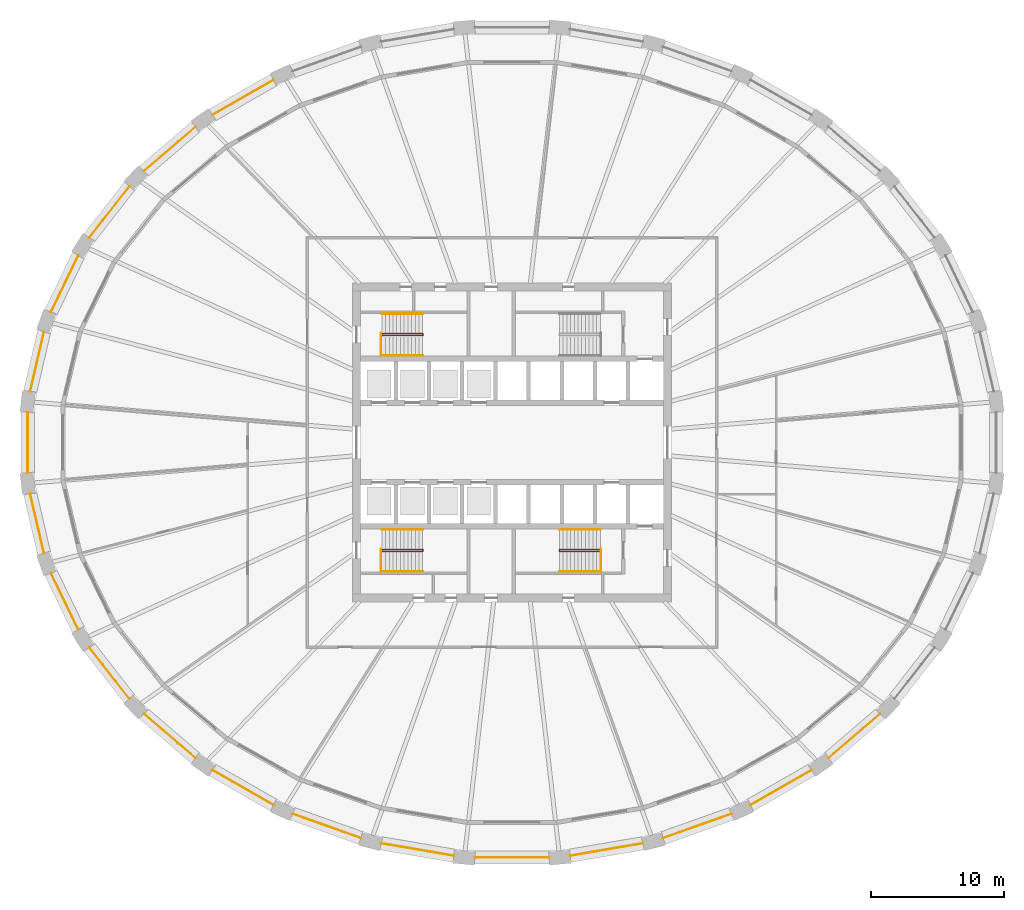
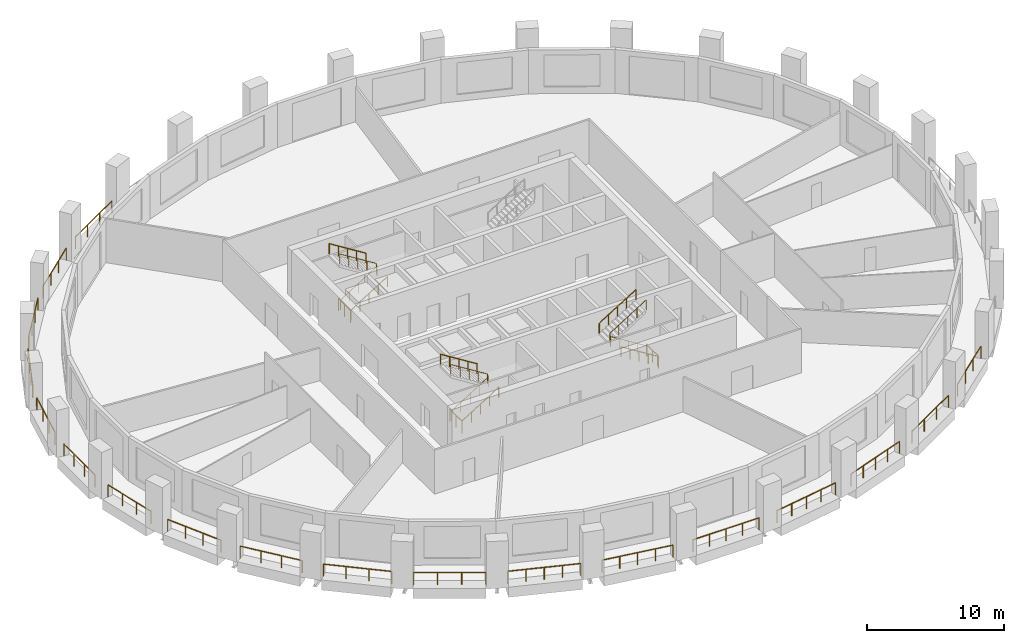
# One storey, part 9 of 11: 30 railings.
"""IFC4 building model written with IfcOpenShell, lengths in metres."""

from ifc_helpers import new_model, si_unit, direction, frame, origin, origin_2d, place, context, subcontext, project, spatial, circle, extrude, material, type_object, element, save


model = new_model("IFC4")

# Units and contexts
model_context = context("Model", 3, precision=1e-05, world=origin(), true_north=direction((0.0, 1.0)))
body_context = subcontext(model_context, "Body", "Model", "MODEL_VIEW")
ifc_project = project(units=[si_unit("LENGTHUNIT", "METRE"), si_unit("AREAUNIT", "SQUARE_METRE"), si_unit("VOLUMEUNIT", "CUBIC_METRE"), si_unit("PLANEANGLEUNIT", "RADIAN"), si_unit("MASSUNIT", "GRAM", prefix="KILO")], contexts=[model_context])

# Site, building, storey
site_placement = place(None, origin())
site = spatial("IfcSite", under=ifc_project, at=site_placement, CompositionType="ELEMENT")
building_placement = place(site_placement, origin())
building = spatial("IfcBuilding", under=site, at=building_placement, Name="Halqa Exchange Tower", CompositionType="ELEMENT")
storey_placement = place(building_placement, frame((0.0, 0.0, 73.89990234375)))
storey = spatial("IfcBuildingStorey", under=building, at=storey_placement, Name="L16", CompositionType="ELEMENT", Elevation=73.89990234375)

# Railings
ifc_material = material(Name="Stainless steel", Category="steel")
railing_type_1 = type_object("IfcRailingType", Name="Guard 1100 stainless steel", PredefinedType="GUARDRAIL", material=ifc_material)
railing_1_placement = place(storey_placement, frame((-17.962158203125, 27.29345703125, 0.0)))
element("IfcRailing", 1, at=railing_1_placement, inside=storey, type_object=railing_type_1, Name="Loggia guard 11", PredefinedType="GUARDRAIL", context=body_context, shape_type="SweptSolid", body=[
    extrude(circle(Radius=0.02392578125, at=origin_2d()), frame((0.0, 0.0, 1.076171875), z_axis=(-0.867759080411, -0.496985088674, 0.0), x_axis=(0.496985088674, -0.867759080411, 0.0)), (0.0, 0.0, 1.0), 5.28076171875),
    extrude(circle(Radius=0.02099609375, at=origin_2d()), origin(), (0.0, 0.0, 1.0), 1.052001953125),
    extrude(circle(Radius=0.02099609375, at=origin_2d()), frame((-1.527587890625, -0.874755859375, 0.0)), (0.0, 0.0, 1.0), 1.052001953125),
    extrude(circle(Radius=0.02099609375, at=origin_2d()), frame((-3.054931640625, -1.749755859375, 0.0)), (0.0, 0.0, 1.0), 1.052001953125),
    extrude(circle(Radius=0.02099609375, at=origin_2d()), frame((-4.58251953125, -2.62451171875, 0.0)), (0.0, 0.0, 1.0), 1.052001953125),
])
railing_2_placement = place(storey_placement, frame((-23.84619140625, 23.750732421875, 0.0)))
element("IfcRailing", 2, at=railing_2_placement, inside=storey, type_object=railing_type_1, Name="Loggia guard 12", PredefinedType="GUARDRAIL", context=body_context, shape_type="SweptSolid", body=[
    extrude(circle(Radius=0.02392578125, at=origin_2d()), frame((0.0, 0.0, 1.076171875), z_axis=(-0.759270150969, -0.650775566419, 0.0), x_axis=(0.650775566419, -0.759270150969, 0.0)), (0.0, 0.0, 1.0), 5.087890625),
    extrude(circle(Radius=0.02099609375, at=origin_2d()), origin(), (0.0, 0.0, 1.0), 1.052001953125),
    extrude(circle(Radius=0.02099609375, at=origin_2d()), frame((-1.28759765625, -1.103759765625, 0.0)), (0.0, 0.0, 1.0), 1.052001953125),
    extrude(circle(Radius=0.02099609375, at=origin_2d()), frame((-2.575439453125, -2.207275390625, 0.0)), (0.0, 0.0, 1.0), 1.052001953125),
    extrude(circle(Radius=0.02099609375, at=origin_2d()), frame((-3.863037109375, -3.31103515625, 0.0)), (0.0, 0.0, 1.0), 1.052001953125),
])
railing_3_placement = place(storey_placement, frame((-28.80859375, 19.2880859375, 0.0)))
element("IfcRailing", 3, at=railing_3_placement, inside=storey, type_object=railing_type_1, Name="Loggia guard 13", PredefinedType="GUARDRAIL", context=body_context, shape_type="SweptSolid", body=[
    extrude(circle(Radius=0.02392578125, at=origin_2d()), frame((0.0, 0.0, 1.076171875), z_axis=(-0.614773449853, -0.788703750059, 0.0), x_axis=(0.788703750059, -0.614773449853, 0.0)), (0.0, 0.0, 1.0), 4.888916015625),
    extrude(circle(Radius=0.02099609375, at=origin_2d()), origin(), (0.0, 0.0, 1.0), 1.052001953125),
    extrude(circle(Radius=0.02099609375, at=origin_2d()), frame((-1.001953125, -1.285400390625, 0.0)), (0.0, 0.0, 1.0), 1.052001953125),
    extrude(circle(Radius=0.02099609375, at=origin_2d()), frame((-2.003662109375, -2.570556640625, 0.0)), (0.0, 0.0, 1.0), 1.052001953125),
    extrude(circle(Radius=0.02099609375, at=origin_2d()), frame((-3.005615234375, -3.85595703125, 0.0)), (0.0, 0.0, 1.0), 1.052001953125),
])
railing_4_placement = place(storey_placement, frame((-32.654296875, 14.080810546875, 0.0)))
element("IfcRailing", 4, at=railing_4_placement, inside=storey, type_object=railing_type_1, Name="Loggia guard 14", PredefinedType="GUARDRAIL", context=body_context, shape_type="SweptSolid", body=[
    extrude(circle(Radius=0.02392578125, at=origin_2d()), frame((0.0, 0.0, 1.076171875), z_axis=(-0.435121098841, -0.900371939447, 0.0), x_axis=(0.900371939447, -0.435121098841, 0.0)), (0.0, 0.0, 1.0), 4.7158203125),
    extrude(circle(Radius=0.02099609375, at=origin_2d()), origin(), (0.0, 0.0, 1.0), 1.052001953125),
    extrude(circle(Radius=0.02099609375, at=origin_2d()), frame((-0.68408203125, -1.415283203125, 0.0)), (0.0, 0.0, 1.0), 1.052001953125),
    extrude(circle(Radius=0.02099609375, at=origin_2d()), frame((-1.367919921875, -2.830810546875, 0.0)), (0.0, 0.0, 1.0), 1.052001953125),
    extrude(circle(Radius=0.02099609375, at=origin_2d()), frame((-2.052001953125, -4.24609375, 0.0)), (0.0, 0.0, 1.0), 1.052001953125),
])
railing_5_placement = place(storey_placement, frame((-35.235107421875, 8.335205078125, 0.0)))
element("IfcRailing", 5, at=railing_5_placement, inside=storey, type_object=railing_type_1, Name="Loggia guard 15", PredefinedType="GUARDRAIL", context=body_context, shape_type="SweptSolid", body=[
    extrude(circle(Radius=0.02392578125, at=origin_2d()), frame((0.0, 0.0, 1.076171875), z_axis=(-0.226069418953, -0.974111193763, 0.0), x_axis=(0.974111193763, -0.226069418953, 0.0)), (0.0, 0.0, 1.0), 4.59716796875),
    extrude(circle(Radius=0.02099609375, at=origin_2d()), origin(), (0.0, 0.0, 1.0), 1.052001953125),
    extrude(circle(Radius=0.02099609375, at=origin_2d()), frame((-0.346435546875, -1.49267578125, 0.0)), (0.0, 0.0, 1.0), 1.052001953125),
    extrude(circle(Radius=0.02099609375, at=origin_2d()), frame((-0.69287109375, -2.985595703125, 0.0)), (0.0, 0.0, 1.0), 1.052001953125),
    extrude(circle(Radius=0.02099609375, at=origin_2d()), frame((-1.039306640625, -4.478271484375, 0.0)), (0.0, 0.0, 1.0), 1.052001953125),
])
railing_6_placement = place(storey_placement, frame((-36.455078125, 2.277587890625, 0.0)))
element("IfcRailing", 6, at=railing_6_placement, inside=storey, type_object=railing_type_1, Name="Loggia guard 16", PredefinedType="GUARDRAIL", context=body_context, shape_type="SweptSolid", body=[
    extrude(circle(Radius=0.02392578125, at=origin_2d()), frame((0.0, 0.0, 1.076171875), z_axis=(0.0, -1.0, 0.0), x_axis=(1.0, 0.0, 0.0)), (0.0, 0.0, 1.0), 4.55517578125),
    extrude(circle(Radius=0.02099609375, at=origin_2d()), origin(), (0.0, 0.0, 1.0), 1.052001953125),
    extrude(circle(Radius=0.02099609375, at=origin_2d()), frame((0.0, -1.518310546875, 0.0)), (0.0, 0.0, 1.0), 1.052001953125),
    extrude(circle(Radius=0.02099609375, at=origin_2d()), frame((0.0, -3.036865234375, 0.0)), (0.0, 0.0, 1.0), 1.052001953125),
    extrude(circle(Radius=0.02099609375, at=origin_2d()), frame((0.0, -4.55517578125, 0.0)), (0.0, 0.0, 1.0), 1.052001953125),
])
railing_7_placement = place(storey_placement, frame((-36.2744140625, -3.85693359375, 0.0)))
element("IfcRailing", 7, at=railing_7_placement, inside=storey, type_object=railing_type_1, Name="Loggia guard 17", PredefinedType="GUARDRAIL", context=body_context, shape_type="SweptSolid", body=[
    extrude(circle(Radius=0.02392578125, at=origin_2d()), frame((0.0, 0.0, 1.076171875), z_axis=(0.226069418953, -0.974111193763, 0.0), x_axis=(0.974111193763, 0.226069418953, 0.0)), (0.0, 0.0, 1.0), 4.59716796875),
    extrude(circle(Radius=0.02099609375, at=origin_2d()), origin(), (0.0, 0.0, 1.0), 1.052001953125),
    extrude(circle(Radius=0.02099609375, at=origin_2d()), frame((0.346435546875, -1.49267578125, 0.0)), (0.0, 0.0, 1.0), 1.052001953125),
    extrude(circle(Radius=0.02099609375, at=origin_2d()), frame((0.69287109375, -2.985595703125, 0.0)), (0.0, 0.0, 1.0), 1.052001953125),
    extrude(circle(Radius=0.02099609375, at=origin_2d()), frame((1.039306640625, -4.478271484375, 0.0)), (0.0, 0.0, 1.0), 1.052001953125),
])
railing_8_placement = place(storey_placement, frame((-34.706298828125, -9.834716796875, 0.0)))
element("IfcRailing", 8, at=railing_8_placement, inside=storey, type_object=railing_type_1, Name="Loggia guard 18", PredefinedType="GUARDRAIL", context=body_context, shape_type="SweptSolid", body=[
    extrude(circle(Radius=0.02392578125, at=origin_2d()), frame((0.0, 0.0, 1.076171875), z_axis=(0.435121098841, -0.900371939447, 0.0), x_axis=(0.900371939447, 0.435121098841, 0.0)), (0.0, 0.0, 1.0), 4.7158203125),
    extrude(circle(Radius=0.02099609375, at=origin_2d()), origin(), (0.0, 0.0, 1.0), 1.052001953125),
    extrude(circle(Radius=0.02099609375, at=origin_2d()), frame((0.68408203125, -1.415283203125, 0.0)), (0.0, 0.0, 1.0), 1.052001953125),
    extrude(circle(Radius=0.02099609375, at=origin_2d()), frame((1.367919921875, -2.830810546875, 0.0)), (0.0, 0.0, 1.0), 1.052001953125),
    extrude(circle(Radius=0.02099609375, at=origin_2d()), frame((2.052001953125, -4.24609375, 0.0)), (0.0, 0.0, 1.0), 1.052001953125),
])
railing_9_placement = place(storey_placement, frame((-31.814208984375, -15.43212890625, 0.0)))
element("IfcRailing", 9, at=railing_9_placement, inside=storey, type_object=railing_type_1, Name="Loggia guard 19", PredefinedType="GUARDRAIL", context=body_context, shape_type="SweptSolid", body=[
    extrude(circle(Radius=0.02392578125, at=origin_2d()), frame((0.0, 0.0, 1.076171875), z_axis=(0.614773449853, -0.788703750059, 0.0), x_axis=(0.788703750059, 0.614773449853, 0.0)), (0.0, 0.0, 1.0), 4.888916015625),
    extrude(circle(Radius=0.02099609375, at=origin_2d()), origin(), (0.0, 0.0, 1.0), 1.052001953125),
    extrude(circle(Radius=0.02099609375, at=origin_2d()), frame((1.001953125, -1.285400390625, 0.0)), (0.0, 0.0, 1.0), 1.052001953125),
    extrude(circle(Radius=0.02099609375, at=origin_2d()), frame((2.003662109375, -2.570556640625, 0.0)), (0.0, 0.0, 1.0), 1.052001953125),
    extrude(circle(Radius=0.02099609375, at=origin_2d()), frame((3.005615234375, -3.85595703125, 0.0)), (0.0, 0.0, 1.0), 1.052001953125),
])
railing_10_placement = place(storey_placement, frame((-27.709228515625, -20.439697265625, 0.0)))
element("IfcRailing", 10, at=railing_10_placement, inside=storey, type_object=railing_type_1, Name="Loggia guard 20", PredefinedType="GUARDRAIL", context=body_context, shape_type="SweptSolid", body=[
    extrude(circle(Radius=0.02392578125, at=origin_2d()), frame((0.0, 0.0, 1.076171875), z_axis=(0.759270150969, -0.650775566419, 0.0), x_axis=(0.650775566419, 0.759270150969, 0.0)), (0.0, 0.0, 1.0), 5.087890625),
    extrude(circle(Radius=0.02099609375, at=origin_2d()), origin(), (0.0, 0.0, 1.0), 1.052001953125),
    extrude(circle(Radius=0.02099609375, at=origin_2d()), frame((1.28759765625, -1.103759765625, 0.0)), (0.0, 0.0, 1.0), 1.052001953125),
    extrude(circle(Radius=0.02099609375, at=origin_2d()), frame((2.575439453125, -2.207275390625, 0.0)), (0.0, 0.0, 1.0), 1.052001953125),
    extrude(circle(Radius=0.02099609375, at=origin_2d()), frame((3.863037109375, -3.31103515625, 0.0)), (0.0, 0.0, 1.0), 1.052001953125),
])
railing_11_placement = place(storey_placement, frame((-22.544677734375, -24.6689453125, 0.0)))
element("IfcRailing", 11, at=railing_11_placement, inside=storey, type_object=railing_type_1, Name="Loggia guard 21", PredefinedType="GUARDRAIL", context=body_context, shape_type="SweptSolid", body=[
    extrude(circle(Radius=0.02392578125, at=origin_2d()), frame((0.0, 0.0, 1.076171875), z_axis=(0.867759080411, -0.496985088674, 0.0), x_axis=(0.496985088674, 0.867759080411, 0.0)), (0.0, 0.0, 1.0), 5.28076171875),
    extrude(circle(Radius=0.02099609375, at=origin_2d()), origin(), (0.0, 0.0, 1.0), 1.052001953125),
    extrude(circle(Radius=0.02099609375, at=origin_2d()), frame((1.527587890625, -0.874755859375, 0.0)), (0.0, 0.0, 1.0), 1.052001953125),
    extrude(circle(Radius=0.02099609375, at=origin_2d()), frame((3.054931640625, -1.749755859375, 0.0)), (0.0, 0.0, 1.0), 1.052001953125),
    extrude(circle(Radius=0.02099609375, at=origin_2d()), frame((4.58251953125, -2.62451171875, 0.0)), (0.0, 0.0, 1.0), 1.052001953125),
])
railing_12_placement = place(storey_placement, frame((-16.51416015625, -27.958740234375, 0.0)))
element("IfcRailing", 12, at=railing_12_placement, inside=storey, type_object=railing_type_1, Name="Loggia guard 22", PredefinedType="GUARDRAIL", context=body_context, shape_type="SweptSolid", body=[
    extrude(circle(Radius=0.02392578125, at=origin_2d()), frame((0.0, 0.0, 1.076171875), z_axis=(0.94237481019, -0.334558988998, 0.0), x_axis=(0.334558988998, 0.94237481019, 0.0)), (0.0, 0.0, 1.0), 5.440185546875),
    extrude(circle(Radius=0.02099609375, at=origin_2d()), origin(), (0.0, 0.0, 1.0), 1.052001953125),
    extrude(circle(Radius=0.02099609375, at=origin_2d()), frame((1.28173828125, -0.455078125, 0.0)), (0.0, 0.0, 1.0), 1.052001953125),
    extrude(circle(Radius=0.02099609375, at=origin_2d()), frame((2.5634765625, -0.91015625, 0.0)), (0.0, 0.0, 1.0), 1.052001953125),
    extrude(circle(Radius=0.02099609375, at=origin_2d()), frame((3.844970703125, -1.364990234375, 0.0)), (0.0, 0.0, 1.0), 1.052001953125),
    extrude(circle(Radius=0.02099609375, at=origin_2d()), frame((5.126708984375, -1.820068359375, 0.0)), (0.0, 0.0, 1.0), 1.052001953125),
])
railing_13_placement = place(storey_placement, frame((-9.844970703125, -30.180908203125, 0.0)))
element("IfcRailing", 13, at=railing_13_placement, inside=storey, type_object=railing_type_1, Name="Loggia guard 23", PredefinedType="GUARDRAIL", context=body_context, shape_type="SweptSolid", body=[
    extrude(circle(Radius=0.02392578125, at=origin_2d()), frame((0.0, 0.0, 1.076171875), z_axis=(0.985775416456, -0.168067927667, 0.0), x_axis=(0.168067927667, 0.985775416456, 0.0)), (0.0, 0.0, 1.0), 5.544677734375),
    extrude(circle(Radius=0.02099609375, at=origin_2d()), origin(), (0.0, 0.0, 1.0), 1.052001953125),
    extrude(circle(Radius=0.02099609375, at=origin_2d()), frame((1.366455078125, -0.23291015625, 0.0)), (0.0, 0.0, 1.0), 1.052001953125),
    extrude(circle(Radius=0.02099609375, at=origin_2d()), frame((2.73291015625, -0.4658203125, 0.0)), (0.0, 0.0, 1.0), 1.052001953125),
    extrude(circle(Radius=0.02099609375, at=origin_2d()), frame((4.099365234375, -0.698974609375, 0.0)), (0.0, 0.0, 1.0), 1.052001953125),
    extrude(circle(Radius=0.02099609375, at=origin_2d()), frame((5.4658203125, -0.931884765625, 0.0)), (0.0, 0.0, 1.0), 1.052001953125),
])
railing_14_placement = place(storey_placement, frame((-2.79052734375, -31.247314453125, 0.0)))
element("IfcRailing", 14, at=railing_14_placement, inside=storey, type_object=railing_type_1, Name="Loggia guard 24", PredefinedType="GUARDRAIL", context=body_context, shape_type="SweptSolid", body=[
    extrude(circle(Radius=0.02392578125, at=origin_2d()), frame((0.0, 0.0, 1.076171875), z_axis=(1.0, 0.0, 0.0), x_axis=(0.0, 1.0, 0.0)), (0.0, 0.0, 1.0), 5.5810546875),
    extrude(circle(Radius=0.02099609375, at=origin_2d()), origin(), (0.0, 0.0, 1.0), 1.052001953125),
    extrude(circle(Radius=0.02099609375, at=origin_2d()), frame((1.395263671875, 0.0, 0.0)), (0.0, 0.0, 1.0), 1.052001953125),
    extrude(circle(Radius=0.02099609375, at=origin_2d()), frame((2.79052734375, 0.0, 0.0)), (0.0, 0.0, 1.0), 1.052001953125),
    extrude(circle(Radius=0.02099609375, at=origin_2d()), frame((4.185791015625, 0.0, 0.0)), (0.0, 0.0, 1.0), 1.052001953125),
    extrude(circle(Radius=0.02099609375, at=origin_2d()), frame((5.5810546875, 0.0, 0.0)), (0.0, 0.0, 1.0), 1.052001953125),
])
railing_15_placement = place(storey_placement, frame((4.379150390625, -31.11279296875, 0.0)))
element("IfcRailing", 15, at=railing_15_placement, inside=storey, type_object=railing_type_1, Name="Loggia guard 25", PredefinedType="GUARDRAIL", context=body_context, shape_type="SweptSolid", body=[
    extrude(circle(Radius=0.02392578125, at=origin_2d()), frame((0.0, 0.0, 1.076171875), z_axis=(0.985775416456, 0.168067927667, 0.0), x_axis=(-0.168067927667, 0.985775416456, 0.0)), (0.0, 0.0, 1.0), 5.544677734375),
    extrude(circle(Radius=0.02099609375, at=origin_2d()), origin(), (0.0, 0.0, 1.0), 1.052001953125),
    extrude(circle(Radius=0.02099609375, at=origin_2d()), frame((1.366455078125, 0.23291015625, 0.0)), (0.0, 0.0, 1.0), 1.052001953125),
    extrude(circle(Radius=0.02099609375, at=origin_2d()), frame((2.73291015625, 0.4658203125, 0.0)), (0.0, 0.0, 1.0), 1.052001953125),
    extrude(circle(Radius=0.02099609375, at=origin_2d()), frame((4.099365234375, 0.698974609375, 0.0)), (0.0, 0.0, 1.0), 1.052001953125),
    extrude(circle(Radius=0.02099609375, at=origin_2d()), frame((5.4658203125, 0.931884765625, 0.0)), (0.0, 0.0, 1.0), 1.052001953125),
])
railing_16_placement = place(storey_placement, frame((11.387451171875, -29.77880859375, 0.0)))
element("IfcRailing", 16, at=railing_16_placement, inside=storey, type_object=railing_type_1, Name="Loggia guard 26", PredefinedType="GUARDRAIL", context=body_context, shape_type="SweptSolid", body=[
    extrude(circle(Radius=0.02392578125, at=origin_2d()), frame((0.0, 0.0, 1.076171875), z_axis=(0.94237481019, 0.334558988998, 0.0), x_axis=(-0.334558988998, 0.94237481019, 0.0)), (0.0, 0.0, 1.0), 5.440185546875),
    extrude(circle(Radius=0.02099609375, at=origin_2d()), origin(), (0.0, 0.0, 1.0), 1.052001953125),
    extrude(circle(Radius=0.02099609375, at=origin_2d()), frame((1.28173828125, 0.455078125, 0.0)), (0.0, 0.0, 1.0), 1.052001953125),
    extrude(circle(Radius=0.02099609375, at=origin_2d()), frame((2.5634765625, 0.91015625, 0.0)), (0.0, 0.0, 1.0), 1.052001953125),
    extrude(circle(Radius=0.02099609375, at=origin_2d()), frame((3.844970703125, 1.364990234375, 0.0)), (0.0, 0.0, 1.0), 1.052001953125),
    extrude(circle(Radius=0.02099609375, at=origin_2d()), frame((5.126708984375, 1.820068359375, 0.0)), (0.0, 0.0, 1.0), 1.052001953125),
])
railing_17_placement = place(storey_placement, frame((17.962158203125, -27.29345703125, 0.0)))
element("IfcRailing", 17, at=railing_17_placement, inside=storey, type_object=railing_type_1, Name="Loggia guard 27", PredefinedType="GUARDRAIL", context=body_context, shape_type="SweptSolid", body=[
    extrude(circle(Radius=0.02392578125, at=origin_2d()), frame((0.0, 0.0, 1.076171875), z_axis=(0.867759080411, 0.496985088674, 0.0), x_axis=(-0.496985088674, 0.867759080411, 0.0)), (0.0, 0.0, 1.0), 5.28076171875),
    extrude(circle(Radius=0.02099609375, at=origin_2d()), origin(), (0.0, 0.0, 1.0), 1.052001953125),
    extrude(circle(Radius=0.02099609375, at=origin_2d()), frame((1.527587890625, 0.874755859375, 0.0)), (0.0, 0.0, 1.0), 1.052001953125),
    extrude(circle(Radius=0.02099609375, at=origin_2d()), frame((3.054931640625, 1.749755859375, 0.0)), (0.0, 0.0, 1.0), 1.052001953125),
    extrude(circle(Radius=0.02099609375, at=origin_2d()), frame((4.58251953125, 2.62451171875, 0.0)), (0.0, 0.0, 1.0), 1.052001953125),
])
railing_18_placement = place(storey_placement, frame((23.84619140625, -23.750732421875, 0.0)))
element("IfcRailing", 18, at=railing_18_placement, inside=storey, type_object=railing_type_1, Name="Loggia guard 28", PredefinedType="GUARDRAIL", context=body_context, shape_type="SweptSolid", body=[
    extrude(circle(Radius=0.02392578125, at=origin_2d()), frame((0.0, 0.0, 1.076171875), z_axis=(0.759270150969, 0.650775566419, 0.0), x_axis=(-0.650775566419, 0.759270150969, 0.0)), (0.0, 0.0, 1.0), 5.087890625),
    extrude(circle(Radius=0.02099609375, at=origin_2d()), origin(), (0.0, 0.0, 1.0), 1.052001953125),
    extrude(circle(Radius=0.02099609375, at=origin_2d()), frame((1.28759765625, 1.103759765625, 0.0)), (0.0, 0.0, 1.0), 1.052001953125),
    extrude(circle(Radius=0.02099609375, at=origin_2d()), frame((2.575439453125, 2.207275390625, 0.0)), (0.0, 0.0, 1.0), 1.052001953125),
    extrude(circle(Radius=0.02099609375, at=origin_2d()), frame((3.863037109375, 3.31103515625, 0.0)), (0.0, 0.0, 1.0), 1.052001953125),
])
railing_type_2 = type_object("IfcRailingType", Name="Stair handrail 900", PredefinedType="HANDRAIL", material=ifc_material)
railing_19_placement = place(storey_placement, frame((-9.800048828125, 8.06005859375, 0.175048828125)))
element("IfcRailing", 19, at=railing_19_placement, inside=storey, type_object=railing_type_2, Name="Handrail ST1.1", PredefinedType="HANDRAIL", context=body_context, shape_type="SweptSolid", body=[
    extrude(circle(Radius=0.02392578125, at=origin_2d()), frame((0.0, 0.0, 0.8759765625), z_axis=(0.847998304005, 0.0, 0.529998940003), x_axis=(0.0, 1.0, 0.0)), (0.0, 0.0, 1.0), 3.632080078125),
    extrude(circle(Radius=0.02392578125, at=origin_2d()), frame((3.080078125, 0.0, 2.80078125), z_axis=(0.0, 0.595870227118, 0.803080738428), x_axis=(-1.0, 0.0, 0.0)), (0.0, 0.0, 1.0), 0.218017578125),
    extrude(circle(Radius=0.02392578125, at=origin_2d()), frame((3.080078125, 0.1298828125, 2.97607421875), z_axis=(-0.847998304005, 0.0, 0.529998940003), x_axis=(0.0, -1.0, 0.0)), (0.0, 0.0, 1.0), 3.632080078125),
    extrude(circle(Radius=0.02099609375, at=origin_2d()), origin(), (0.0, 0.0, 1.0), 0.851806640625),
    extrude(circle(Radius=0.02099609375, at=origin_2d()), frame((0.77001953125, 0.0, 0.481201171875)), (0.0, 0.0, 1.0), 0.851806640625),
    extrude(circle(Radius=0.02099609375, at=origin_2d()), frame((1.5400390625, 0.0, 0.96240234375)), (0.0, 0.0, 1.0), 0.851806640625),
    extrude(circle(Radius=0.02099609375, at=origin_2d()), frame((2.31005859375, 0.0, 1.44384765625)), (0.0, 0.0, 1.0), 0.851806640625),
    extrude(circle(Radius=0.02099609375, at=origin_2d()), frame((3.080078125, 0.0, 1.925048828125)), (0.0, 0.0, 1.0), 0.851806640625),
    extrude(circle(Radius=0.02099609375, at=origin_2d()), frame((3.080078125, 0.1298828125, 2.10009765625)), (0.0, 0.0, 1.0), 0.851806640625),
    extrude(circle(Radius=0.02099609375, at=origin_2d()), frame((2.31005859375, 0.1298828125, 2.581298828125)), (0.0, 0.0, 1.0), 0.851806640625),
    extrude(circle(Radius=0.02099609375, at=origin_2d()), frame((1.5400390625, 0.1298828125, 3.0625)), (0.0, 0.0, 1.0), 0.851806640625),
    extrude(circle(Radius=0.02099609375, at=origin_2d()), frame((0.77001953125, 0.1298828125, 3.5439453125)), (0.0, 0.0, 1.0), 0.851806640625),
    extrude(circle(Radius=0.02099609375, at=origin_2d()), frame((0.0, 0.1298828125, 4.025146484375)), (0.0, 0.0, 1.0), 0.851806640625),
])
railing_20_placement = place(storey_placement, frame((-9.800048828125, 6.550048828125, 0.175048828125)))
element("IfcRailing", 20, at=railing_20_placement, inside=storey, type_object=railing_type_2, Name="Handrail ST1.2", PredefinedType="HANDRAIL", context=body_context, shape_type="SweptSolid", body=[
    extrude(circle(Radius=0.02392578125, at=origin_2d()), frame((0.0, 0.0, 0.8759765625), z_axis=(0.847998304005, 0.0, 0.529998940003), x_axis=(0.0, 1.0, 0.0)), (0.0, 0.0, 1.0), 3.632080078125),
    extrude(circle(Radius=0.02099609375, at=origin_2d()), origin(), (0.0, 0.0, 1.0), 0.851806640625),
    extrude(circle(Radius=0.02099609375, at=origin_2d()), frame((0.77001953125, 0.0, 0.481201171875)), (0.0, 0.0, 1.0), 0.851806640625),
    extrude(circle(Radius=0.02099609375, at=origin_2d()), frame((1.5400390625, 0.0, 0.96240234375)), (0.0, 0.0, 1.0), 0.851806640625),
    extrude(circle(Radius=0.02099609375, at=origin_2d()), frame((2.31005859375, 0.0, 1.44384765625)), (0.0, 0.0, 1.0), 0.851806640625),
    extrude(circle(Radius=0.02099609375, at=origin_2d()), frame((3.080078125, 0.0, 1.925048828125)), (0.0, 0.0, 1.0), 0.851806640625),
])
railing_21_placement = place(storey_placement, frame((-6.719970703125, 9.699951171875, 2.275146484375)))
element("IfcRailing", 21, at=railing_21_placement, inside=storey, type_object=railing_type_2, Name="Handrail ST1.3", PredefinedType="HANDRAIL", context=body_context, shape_type="SweptSolid", body=[
    extrude(circle(Radius=0.02392578125, at=origin_2d()), frame((0.0, 0.0, 0.8759765625), z_axis=(-0.847998304005, 0.0, 0.529998940003), x_axis=(0.0, -1.0, 0.0)), (0.0, 0.0, 1.0), 3.632080078125),
    extrude(circle(Radius=0.02099609375, at=origin_2d()), origin(), (0.0, 0.0, 1.0), 0.851806640625),
    extrude(circle(Radius=0.02099609375, at=origin_2d()), frame((-0.77001953125, 0.0, 0.481201171875)), (0.0, 0.0, 1.0), 0.851806640625),
    extrude(circle(Radius=0.02099609375, at=origin_2d()), frame((-1.5400390625, 0.0, 0.96240234375)), (0.0, 0.0, 1.0), 0.851806640625),
    extrude(circle(Radius=0.02099609375, at=origin_2d()), frame((-2.31005859375, 0.0, 1.44384765625)), (0.0, 0.0, 1.0), 0.851806640625),
    extrude(circle(Radius=0.02099609375, at=origin_2d()), frame((-3.080078125, 0.0, 1.925048828125)), (0.0, 0.0, 1.0), 0.851806640625),
])
railing_22_placement = place(storey_placement, frame((-9.800048828125, -8.18994140625, 0.175048828125)))
element("IfcRailing", 22, at=railing_22_placement, inside=storey, type_object=railing_type_2, Name="Handrail ST3.1", PredefinedType="HANDRAIL", context=body_context, shape_type="SweptSolid", body=[
    extrude(circle(Radius=0.02392578125, at=origin_2d()), frame((0.0, 0.0, 0.8759765625), z_axis=(0.847998304005, 0.0, 0.529998940003), x_axis=(0.0, 1.0, 0.0)), (0.0, 0.0, 1.0), 3.632080078125),
    extrude(circle(Radius=0.02392578125, at=origin_2d()), frame((3.080078125, 0.0, 2.80078125), z_axis=(0.0, 0.595870227118, 0.803080738428), x_axis=(-1.0, 0.0, 0.0)), (0.0, 0.0, 1.0), 0.218017578125),
    extrude(circle(Radius=0.02392578125, at=origin_2d()), frame((3.080078125, 0.1298828125, 2.97607421875), z_axis=(-0.847998304005, 0.0, 0.529998940003), x_axis=(0.0, -1.0, 0.0)), (0.0, 0.0, 1.0), 3.632080078125),
    extrude(circle(Radius=0.02099609375, at=origin_2d()), origin(), (0.0, 0.0, 1.0), 0.851806640625),
    extrude(circle(Radius=0.02099609375, at=origin_2d()), frame((0.77001953125, 0.0, 0.481201171875)), (0.0, 0.0, 1.0), 0.851806640625),
    extrude(circle(Radius=0.02099609375, at=origin_2d()), frame((1.5400390625, 0.0, 0.96240234375)), (0.0, 0.0, 1.0), 0.851806640625),
    extrude(circle(Radius=0.02099609375, at=origin_2d()), frame((2.31005859375, 0.0, 1.44384765625)), (0.0, 0.0, 1.0), 0.851806640625),
    extrude(circle(Radius=0.02099609375, at=origin_2d()), frame((3.080078125, 0.0, 1.925048828125)), (0.0, 0.0, 1.0), 0.851806640625),
    extrude(circle(Radius=0.02099609375, at=origin_2d()), frame((3.080078125, 0.1298828125, 2.10009765625)), (0.0, 0.0, 1.0), 0.851806640625),
    extrude(circle(Radius=0.02099609375, at=origin_2d()), frame((2.31005859375, 0.1298828125, 2.581298828125)), (0.0, 0.0, 1.0), 0.851806640625),
    extrude(circle(Radius=0.02099609375, at=origin_2d()), frame((1.5400390625, 0.1298828125, 3.0625)), (0.0, 0.0, 1.0), 0.851806640625),
    extrude(circle(Radius=0.02099609375, at=origin_2d()), frame((0.77001953125, 0.1298828125, 3.5439453125)), (0.0, 0.0, 1.0), 0.851806640625),
    extrude(circle(Radius=0.02099609375, at=origin_2d()), frame((0.0, 0.1298828125, 4.025146484375)), (0.0, 0.0, 1.0), 0.851806640625),
])
railing_23_placement = place(storey_placement, frame((-9.800048828125, -9.699951171875, 0.175048828125)))
element("IfcRailing", 23, at=railing_23_placement, inside=storey, type_object=railing_type_2, Name="Handrail ST3.2", PredefinedType="HANDRAIL", context=body_context, shape_type="SweptSolid", body=[
    extrude(circle(Radius=0.02392578125, at=origin_2d()), frame((0.0, 0.0, 0.8759765625), z_axis=(0.847998304005, 0.0, 0.529998940003), x_axis=(0.0, 1.0, 0.0)), (0.0, 0.0, 1.0), 3.632080078125),
    extrude(circle(Radius=0.02099609375, at=origin_2d()), origin(), (0.0, 0.0, 1.0), 0.851806640625),
    extrude(circle(Radius=0.02099609375, at=origin_2d()), frame((0.77001953125, 0.0, 0.481201171875)), (0.0, 0.0, 1.0), 0.851806640625),
    extrude(circle(Radius=0.02099609375, at=origin_2d()), frame((1.5400390625, 0.0, 0.96240234375)), (0.0, 0.0, 1.0), 0.851806640625),
    extrude(circle(Radius=0.02099609375, at=origin_2d()), frame((2.31005859375, 0.0, 1.44384765625)), (0.0, 0.0, 1.0), 0.851806640625),
    extrude(circle(Radius=0.02099609375, at=origin_2d()), frame((3.080078125, 0.0, 1.925048828125)), (0.0, 0.0, 1.0), 0.851806640625),
])
railing_24_placement = place(storey_placement, frame((-6.719970703125, -6.550048828125, 2.275146484375)))
element("IfcRailing", 24, at=railing_24_placement, inside=storey, type_object=railing_type_2, Name="Handrail ST3.3", PredefinedType="HANDRAIL", context=body_context, shape_type="SweptSolid", body=[
    extrude(circle(Radius=0.02392578125, at=origin_2d()), frame((0.0, 0.0, 0.8759765625), z_axis=(-0.847998304005, 0.0, 0.529998940003), x_axis=(0.0, -1.0, 0.0)), (0.0, 0.0, 1.0), 3.632080078125),
    extrude(circle(Radius=0.02099609375, at=origin_2d()), origin(), (0.0, 0.0, 1.0), 0.851806640625),
    extrude(circle(Radius=0.02099609375, at=origin_2d()), frame((-0.77001953125, 0.0, 0.481201171875)), (0.0, 0.0, 1.0), 0.851806640625),
    extrude(circle(Radius=0.02099609375, at=origin_2d()), frame((-1.5400390625, 0.0, 0.96240234375)), (0.0, 0.0, 1.0), 0.851806640625),
    extrude(circle(Radius=0.02099609375, at=origin_2d()), frame((-2.31005859375, 0.0, 1.44384765625)), (0.0, 0.0, 1.0), 0.851806640625),
    extrude(circle(Radius=0.02099609375, at=origin_2d()), frame((-3.080078125, 0.0, 1.925048828125)), (0.0, 0.0, 1.0), 0.851806640625),
])
railing_25_placement = place(storey_placement, frame((6.64990234375, -8.18994140625, 0.175048828125)))
element("IfcRailing", 25, at=railing_25_placement, inside=storey, type_object=railing_type_2, Name="Handrail ST4.1", PredefinedType="HANDRAIL", context=body_context, shape_type="SweptSolid", body=[
    extrude(circle(Radius=0.02392578125, at=origin_2d()), frame((0.0, 0.0, 0.8759765625), z_axis=(-0.847979421464, 0.0, 0.530029150871), x_axis=(0.0, -1.0, 0.0)), (0.0, 0.0, 1.0), 3.632080078125),
    extrude(circle(Radius=0.02392578125, at=origin_2d()), frame((-3.079833984375, 0.0, 2.80078125), z_axis=(0.0, 0.595870227118, 0.803080738428), x_axis=(-1.0, 0.0, 0.0)), (0.0, 0.0, 1.0), 0.218017578125),
    extrude(circle(Radius=0.02392578125, at=origin_2d()), frame((-3.079833984375, 0.1298828125, 2.97607421875), z_axis=(0.847979421464, 0.0, 0.530029150871), x_axis=(0.0, 1.0, 0.0)), (0.0, 0.0, 1.0), 3.632080078125),
    extrude(circle(Radius=0.02099609375, at=origin_2d()), origin(), (0.0, 0.0, 1.0), 0.851806640625),
    extrude(circle(Radius=0.02099609375, at=origin_2d()), frame((-0.77001953125, 0.0, 0.481201171875)), (0.0, 0.0, 1.0), 0.851806640625),
    extrude(circle(Radius=0.02099609375, at=origin_2d()), frame((-1.5400390625, 0.0, 0.96240234375)), (0.0, 0.0, 1.0), 0.851806640625),
    extrude(circle(Radius=0.02099609375, at=origin_2d()), frame((-2.309814453125, 0.0, 1.44384765625)), (0.0, 0.0, 1.0), 0.851806640625),
    extrude(circle(Radius=0.02099609375, at=origin_2d()), frame((-3.079833984375, 0.0, 1.925048828125)), (0.0, 0.0, 1.0), 0.851806640625),
    extrude(circle(Radius=0.02099609375, at=origin_2d()), frame((-3.079833984375, 0.1298828125, 2.10009765625)), (0.0, 0.0, 1.0), 0.851806640625),
    extrude(circle(Radius=0.02099609375, at=origin_2d()), frame((-2.309814453125, 0.1298828125, 2.581298828125)), (0.0, 0.0, 1.0), 0.851806640625),
    extrude(circle(Radius=0.02099609375, at=origin_2d()), frame((-1.5400390625, 0.1298828125, 3.0625)), (0.0, 0.0, 1.0), 0.851806640625),
    extrude(circle(Radius=0.02099609375, at=origin_2d()), frame((-0.77001953125, 0.1298828125, 3.5439453125)), (0.0, 0.0, 1.0), 0.851806640625),
    extrude(circle(Radius=0.02099609375, at=origin_2d()), frame((0.0, 0.1298828125, 4.025146484375)), (0.0, 0.0, 1.0), 0.851806640625),
])
railing_26_placement = place(storey_placement, frame((6.64990234375, -9.699951171875, 0.175048828125)))
element("IfcRailing", 26, at=railing_26_placement, inside=storey, type_object=railing_type_2, Name="Handrail ST4.2", PredefinedType="HANDRAIL", context=body_context, shape_type="SweptSolid", body=[
    extrude(circle(Radius=0.02392578125, at=origin_2d()), frame((0.0, 0.0, 0.8759765625), z_axis=(-0.847979421464, 0.0, 0.530029150871), x_axis=(0.0, -1.0, 0.0)), (0.0, 0.0, 1.0), 3.632080078125),
    extrude(circle(Radius=0.02099609375, at=origin_2d()), origin(), (0.0, 0.0, 1.0), 0.851806640625),
    extrude(circle(Radius=0.02099609375, at=origin_2d()), frame((-0.77001953125, 0.0, 0.481201171875)), (0.0, 0.0, 1.0), 0.851806640625),
    extrude(circle(Radius=0.02099609375, at=origin_2d()), frame((-1.5400390625, 0.0, 0.96240234375)), (0.0, 0.0, 1.0), 0.851806640625),
    extrude(circle(Radius=0.02099609375, at=origin_2d()), frame((-2.309814453125, 0.0, 1.44384765625)), (0.0, 0.0, 1.0), 0.851806640625),
    extrude(circle(Radius=0.02099609375, at=origin_2d()), frame((-3.079833984375, 0.0, 1.925048828125)), (0.0, 0.0, 1.0), 0.851806640625),
])
railing_27_placement = place(storey_placement, frame((3.570068359375, -6.550048828125, 2.275146484375)))
element("IfcRailing", 27, at=railing_27_placement, inside=storey, type_object=railing_type_2, Name="Handrail ST4.3", PredefinedType="HANDRAIL", context=body_context, shape_type="SweptSolid", body=[
    extrude(circle(Radius=0.02392578125, at=origin_2d()), frame((0.0, 0.0, 0.8759765625), z_axis=(0.847979421464, 0.0, 0.530029150871), x_axis=(0.0, 1.0, 0.0)), (0.0, 0.0, 1.0), 3.632080078125),
    extrude(circle(Radius=0.02099609375, at=origin_2d()), origin(), (0.0, 0.0, 1.0), 0.851806640625),
    extrude(circle(Radius=0.02099609375, at=origin_2d()), frame((0.77001953125, 0.0, 0.481201171875)), (0.0, 0.0, 1.0), 0.851806640625),
    extrude(circle(Radius=0.02099609375, at=origin_2d()), frame((1.5400390625, 0.0, 0.96240234375)), (0.0, 0.0, 1.0), 0.851806640625),
    extrude(circle(Radius=0.02099609375, at=origin_2d()), frame((2.309814453125, 0.0, 1.44384765625)), (0.0, 0.0, 1.0), 0.851806640625),
    extrude(circle(Radius=0.02099609375, at=origin_2d()), frame((3.079833984375, 0.0, 1.925048828125)), (0.0, 0.0, 1.0), 0.851806640625),
])
railing_type_3 = type_object("IfcRailingType", Name="Stair well guard 1100", PredefinedType="GUARDRAIL", material=ifc_material)
for number, where, name in (
    (28, (-9.85009765625, 6.5, 0.0), "Guard ST1 well"),
    (29, (-9.85009765625, -9.75, 0.0), "Guard ST3 well"),
    (30, (6.699951171875, -9.75, 0.0), "Guard ST4 well"),
):
    element("IfcRailing", number, at=place(storey_placement, frame(where)), inside=storey, type_object=railing_type_3, Name=name, PredefinedType="GUARDRAIL", context=body_context, shape_type="SweptSolid", body=[
        extrude(circle(Radius=0.02392578125, at=origin_2d()), frame((0.0, 0.0, 1.076171875), z_axis=(0.0, 1.0, 0.0), x_axis=(-1.0, 0.0, 0.0)), (0.0, 0.0, 1.0), 1.75),
        extrude(circle(Radius=0.02099609375, at=origin_2d()), origin(), (0.0, 0.0, 1.0), 1.052001953125),
        extrude(circle(Radius=0.02099609375, at=origin_2d()), frame((0.0, 0.875, 0.0)), (0.0, 0.0, 1.0), 1.052001953125),
        extrude(circle(Radius=0.02099609375, at=origin_2d()), frame((0.0, 1.75, 0.0)), (0.0, 0.0, 1.0), 1.052001953125),
    ])

save(model, "model.ifc")
